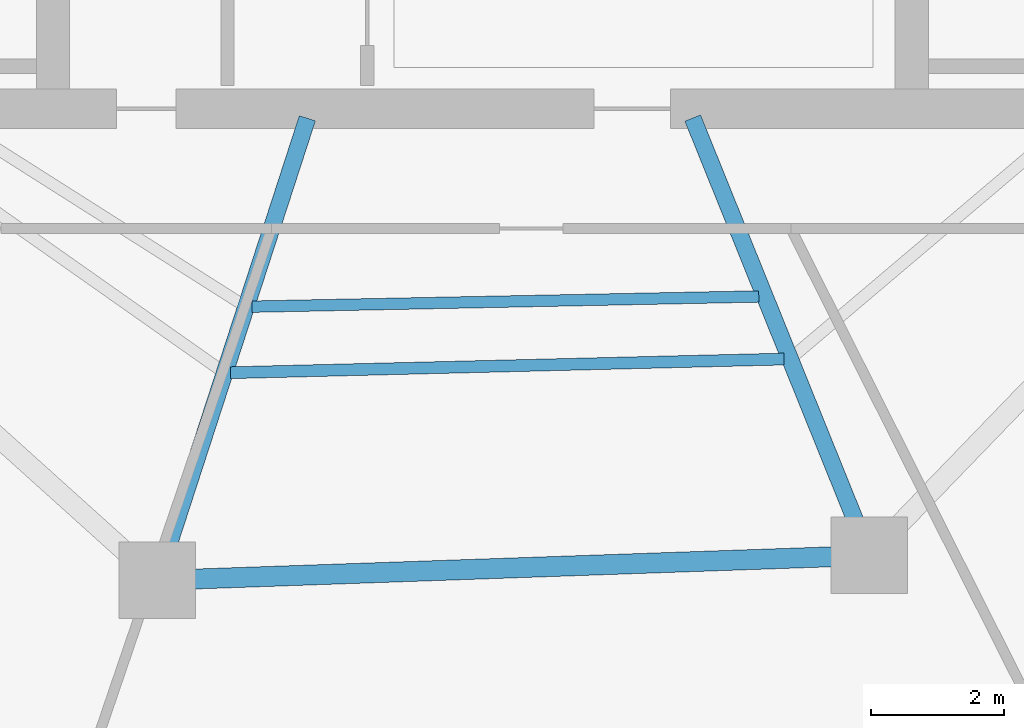
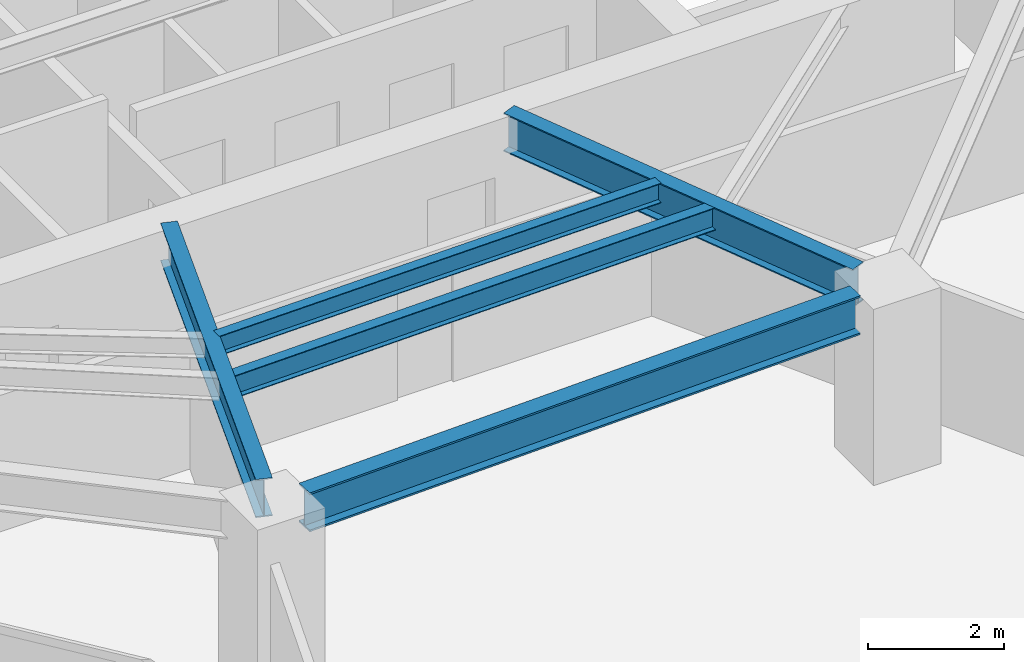
# One storey, part 6 of 30: 5 beams.
"""IFC4 building model written with IfcOpenShell, lengths in metres."""

from ifc_helpers import new_model, si_unit, direction, frame, origin, origin_2d, place, context, subcontext, project, spatial, i_section, extrude, material, material_profile, profile_set, type_object, element, save


model = new_model("IFC4")

# Units and contexts
model_context = context("Model", 3, precision=1e-05, world=origin(), true_north=direction((0.0, 1.0)))
body_context = subcontext(model_context, "Body", "Model", "MODEL_VIEW")
ifc_project = project(units=[si_unit("LENGTHUNIT", "METRE"), si_unit("AREAUNIT", "SQUARE_METRE"), si_unit("VOLUMEUNIT", "CUBIC_METRE"), si_unit("PLANEANGLEUNIT", "RADIAN"), si_unit("MASSUNIT", "GRAM", prefix="KILO")], contexts=[model_context])

# Site, building, storey
site_placement = place(None, origin())
site = spatial("IfcSite", under=ifc_project, at=site_placement, CompositionType="ELEMENT")
building_placement = place(site_placement, origin())
building = spatial("IfcBuilding", under=site, at=building_placement, Name="Qarnah Convention Tower", CompositionType="ELEMENT")
storey_placement = place(building_placement, frame((0.0, 0.0, 93.60009765625)))
storey = spatial("IfcBuildingStorey", under=building, at=storey_placement, Name="L24", CompositionType="ELEMENT", Elevation=93.60009765625)

# Beams
ifc_material = material(Name="Structural steel S355JR", Category="steel")
ifc_material_profile_1 = material_profile(ifc_material, i_section(OverallWidth=0.172119140625, OverallDepth=0.35595703125, WebThickness=0.007080078125, FlangeThickness=0.011962890625, at=origin_2d()), Name="W360X51")
ifc_profile_set_1 = profile_set([ifc_material_profile_1], Name="Structural steel S355JR")
beam_type_1 = type_object("IfcBeamType", Name="BM-JST-W360", PredefinedType="JOIST", material=ifc_profile_set_1)
beam_1_placement = place(storey_placement, frame((33.7890625, 15.626953125, 2.991943359375), z_axis=(0.999797848543, 0.020106268877, 0.0), x_axis=(-0.020106268877, 0.999797848543, 0.0)))
element("IfcBeam", 1, at=beam_1_placement, inside=storey, type_object=beam_type_1, Name="L24 joist BM-L24-IJST-07", PredefinedType="JOIST", context=body_context, shape_type="SweptSolid", body=[
    extrude(i_section(OverallWidth=0.172119140625, OverallDepth=0.35595703125, WebThickness=0.007080078125, FlangeThickness=0.011962890625, at=origin_2d()), origin(), (0.0, 0.0, 1.0), 7.61328125),
])
ifc_material_profile_2 = material_profile(ifc_material, i_section(OverallWidth=0.177978515625, OverallDepth=0.407958984375, WebThickness=0.008056640625, FlangeThickness=0.012939453125, at=origin_2d()), Name="W410X60")
ifc_profile_set_2 = profile_set([ifc_material_profile_2], Name="Structural steel S355JR")
beam_type_2 = type_object("IfcBeamType", Name="BM-JST-W410", PredefinedType="JOIST", material=ifc_profile_set_2)
beam_2_placement = place(storey_placement, frame((33.467041015625, 14.635009765625, 2.9658203125), z_axis=(0.999695844153, 0.02466210012, 0.0), x_axis=(-0.02466210012, 0.999695844153, 0.0)))
element("IfcBeam", 2, at=beam_2_placement, inside=storey, type_object=beam_type_2, Name="L24 joist BM-L24-SJST-07", PredefinedType="JOIST", context=body_context, shape_type="SweptSolid", body=[
    extrude(i_section(OverallWidth=0.177978515625, OverallDepth=0.407958984375, WebThickness=0.008056640625, FlangeThickness=0.012939453125, at=origin_2d()), origin(), (0.0, 0.0, 1.0), 8.3154296875),
])
ifc_material_profile_3 = material_profile(ifc_material, i_section(OverallWidth=0.25390625, OverallDepth=0.68798828125, WebThickness=0.012939453125, FlangeThickness=0.02099609375, at=origin_2d()), Name="W690X152")
ifc_profile_set_3 = profile_set([ifc_material_profile_3], Name="Structural steel S355JR")
beam_type_3 = type_object("IfcBeamType", Name="BM-RAD-W690", PredefinedType="BEAM", material=ifc_profile_set_3)
beam_3_placement = place(storey_placement, frame((34.6201171875, 18.45703125, 2.825927734375), z_axis=(-0.30908279771, -0.951035132979, 0.0), x_axis=(0.951035132979, -0.30908279771, 0.0)))
element("IfcBeam", 3, at=beam_3_placement, inside=storey, type_object=beam_type_3, Name="L24 beam BM-L24-RAD-07", PredefinedType="BEAM", context=body_context, shape_type="SweptSolid", body=[
    extrude(i_section(OverallWidth=0.25390625, OverallDepth=0.68798828125, WebThickness=0.012939453125, FlangeThickness=0.02099609375, at=origin_2d()), origin(), (0.0, 0.0, 1.0), 6.7431640625),
])
beam_4_placement = place(storey_placement, frame((40.407958984375, 18.4609375, 2.825927734375), z_axis=(0.374642886347, -0.927169190445, 0.0), x_axis=(0.927169190445, 0.374642886347, 0.0)))
element("IfcBeam", 4, at=beam_4_placement, inside=storey, type_object=beam_type_3, Name="L24 beam BM-L24-RAD-08", PredefinedType="BEAM", context=body_context, shape_type="SweptSolid", body=[
    extrude(i_section(OverallWidth=0.25390625, OverallDepth=0.68798828125, WebThickness=0.012939453125, FlangeThickness=0.02099609375, at=origin_2d()), origin(), (0.0, 0.0, 1.0), 6.531494140625),
])
ifc_material_profile_4 = material_profile(ifc_material, i_section(OverallWidth=0.300048828125, OverallDepth=0.699951171875, WebThickness=0.01708984375, FlangeThickness=0.031982421875, at=origin_2d()), Name="HEB700")
ifc_profile_set_4 = profile_set([ifc_material_profile_4], Name="Structural steel S355JR")
beam_type_4 = type_object("IfcBeamType", Name="BM-RING-HEB700", PredefinedType="BEAM", material=ifc_profile_set_4)
beam_5_placement = place(storey_placement, frame((32.928955078125, 11.535888671875, 2.81982421875), z_axis=(0.999390577592, 0.03490663862, 0.0), x_axis=(-0.03490663862, 0.999390577592, 0.0)))
element("IfcBeam", 5, at=beam_5_placement, inside=storey, type_object=beam_type_4, Name="L24 beam BM-L24-SPN-07", PredefinedType="BEAM", context=body_context, shape_type="SweptSolid", body=[
    extrude(i_section(OverallWidth=0.300048828125, OverallDepth=0.699951171875, WebThickness=0.01708984375, FlangeThickness=0.031982421875, at=origin_2d()), origin(), (0.0, 0.0, 1.0), 9.574951171875),
])

save(model, "model.ifc")
